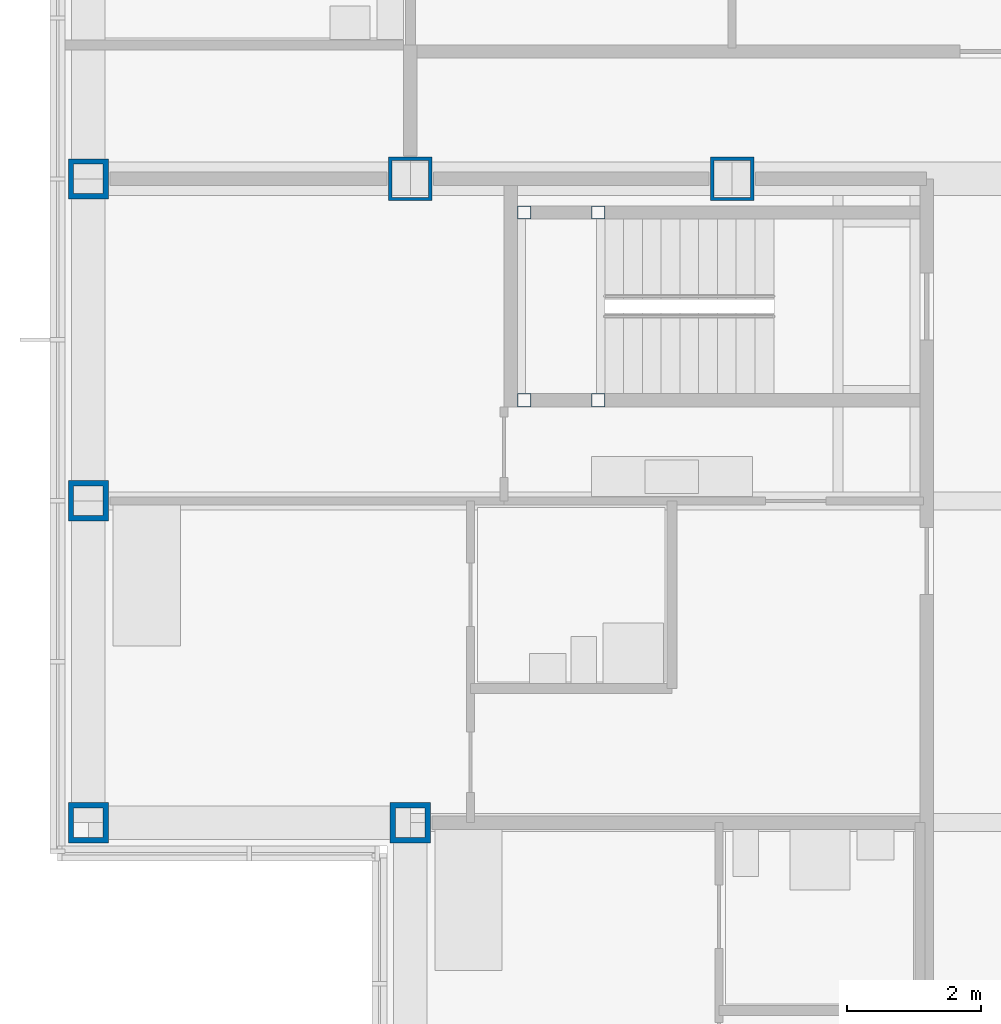
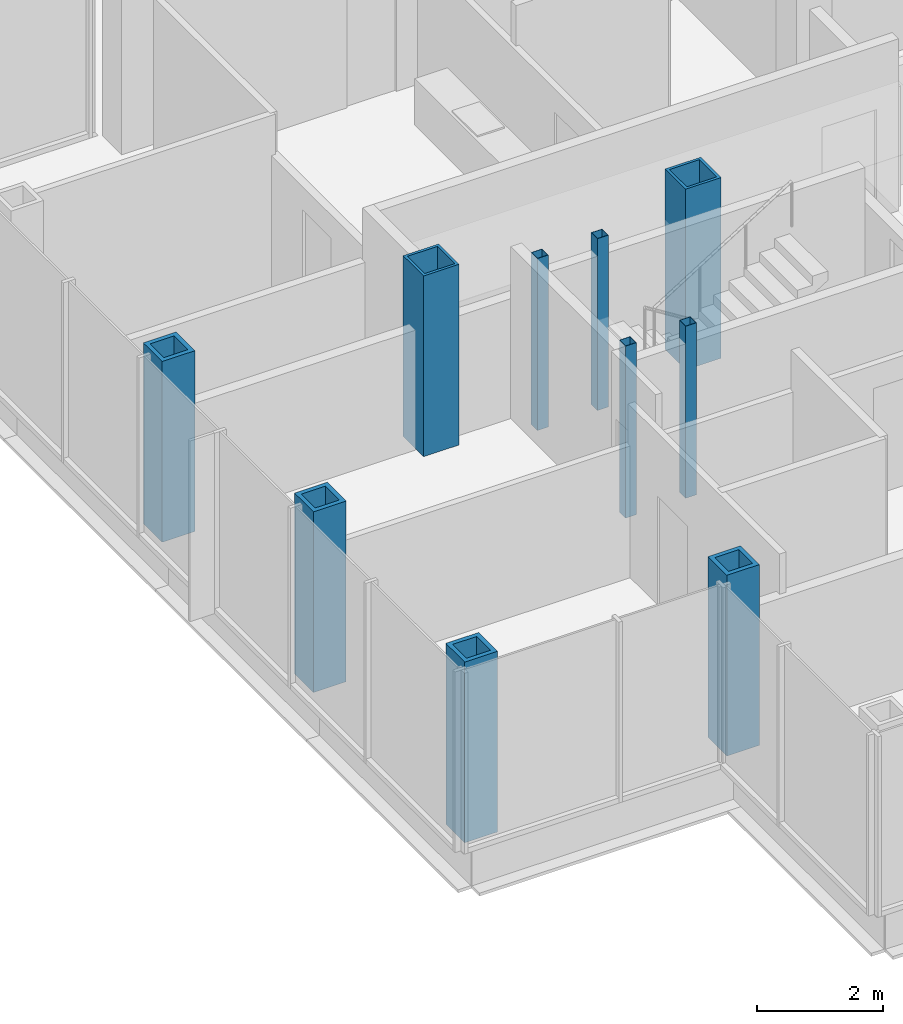
# One storey, part 3 of 20: 10 columns.
"""IFC4 building model written with IfcOpenShell, lengths in metres."""

from ifc_helpers import new_model, si_unit, direction, frame, origin, origin_2d, place, context, subcontext, project, spatial, hollow_rectangle, extrude, material, material_profile, profile_set, type_object, element, save


model = new_model("IFC4")

# Units and contexts
model_context = context("Model", 3, precision=1e-05, world=origin(), true_north=direction((0.0, 1.0)))
body_context = subcontext(model_context, "Body", "Model", "MODEL_VIEW")
ifc_project = project(units=[si_unit("LENGTHUNIT", "METRE"), si_unit("AREAUNIT", "SQUARE_METRE"), si_unit("VOLUMEUNIT", "CUBIC_METRE"), si_unit("PLANEANGLEUNIT", "RADIAN"), si_unit("MASSUNIT", "GRAM", prefix="KILO")], contexts=[model_context])

# Site, building, storey
site_placement = place(None, origin())
site = spatial("IfcSite", under=ifc_project, at=site_placement, CompositionType="ELEMENT")
building_placement = place(site_placement, origin())
building = spatial("IfcBuilding", under=site, at=building_placement, Name="Kvirike Care Tower", CompositionType="ELEMENT")
storey_placement = place(building_placement, frame((0.0, 0.0, 126.0)))
storey = spatial("IfcBuildingStorey", under=building, at=storey_placement, Name="L34", CompositionType="ELEMENT", Elevation=126.0)

# Columns
ifc_material_1 = material(Name="Steel S460", Category="steel")
ifc_material_profile_1 = material_profile(ifc_material_1, hollow_rectangle(XDim=0.60009765625, YDim=0.60009765625, WallThickness=0.080078125, at=origin_2d()), Name="BX 600x600x80")
ifc_profile_set_1 = profile_set([ifc_material_profile_1], Name="Steel S460")
column_type_1 = type_object("IfcColumnType", Name="COLUMN BX 600x600x80", PredefinedType="COLUMN", material=ifc_profile_set_1)
for number, where, z_axis, x_axis, name in (
    (1, (0.0, 33.60009765625, 0.0), (0.0, 0.0, 1.0), (0.0, 1.0, 0.0), "Column H3 L34"),
    (2, (0.0, 38.39990234375, 0.0), (0.0, 0.0, 1.0), (1.0, 0.0, 0.0), "Column J3 L34"),
    (3, (0.0, 43.199951171875, 0.0), (0.0, 0.0, 1.0), (0.0, 1.0, 0.0), "Column K3 L34"),
    (4, (4.800048828125, 33.60009765625, 0.0), (0.0, 0.0, 1.0), (0.0, 1.0, 0.0), "Column H4 L34"),
):
    element("IfcColumn", number, at=place(storey_placement, frame(where, z_axis=z_axis, x_axis=x_axis)), inside=storey, type_object=column_type_1, Name=name, PredefinedType="COLUMN", context=body_context, shape_type="SweptSolid", body=[
        extrude(hollow_rectangle(XDim=0.60009765625, YDim=0.60009765625, WallThickness=0.080078125, at=origin_2d()), origin(), (0.0, 0.0, 1.0), 3.5),
    ])
ifc_material_2 = material(Name="Steel S460", Category="steel")
ifc_material_profile_2 = material_profile(ifc_material_2, hollow_rectangle(XDim=0.64990234375, YDim=0.64990234375, WallThickness=0.050048828125, at=origin_2d()), Name="BX 650x650x50")
ifc_profile_set_2 = profile_set([ifc_material_profile_2], Name="Steel S460")
column_type_2 = type_object("IfcColumnType", Name="COLUMN BX 650x650x50", PredefinedType="COLUMN", material=ifc_profile_set_2)
for number, where, z_axis, x_axis, name in (
    (5, (4.800048828125, 43.199951171875, 0.0), (0.0, 0.0, 1.0), (0.0, 1.0, 0.0), "Column K4 L34"),
    (6, (9.60009765625, 43.199951171875, 0.0), (0.0, 0.0, 1.0), (0.0, 1.0, 0.0), "Column K5 L34"),
):
    element("IfcColumn", number, at=place(storey_placement, frame(where, z_axis=z_axis, x_axis=x_axis)), inside=storey, type_object=column_type_2, Name=name, PredefinedType="COLUMN", context=body_context, shape_type="SweptSolid", body=[
        extrude(hollow_rectangle(XDim=0.64990234375, YDim=0.64990234375, WallThickness=0.050048828125, at=origin_2d()), origin(), (0.0, 0.0, 1.0), 3.5),
    ])
ifc_material_3 = material(Name="Steel S460", Category="steel")
ifc_material_profile_3 = material_profile(ifc_material_3, hollow_rectangle(XDim=0.199951171875, YDim=0.199951171875, WallThickness=0.008056640625, at=origin_2d()), Name="SHS 200x200x8")
ifc_profile_set_3 = profile_set([ifc_material_profile_3], Name="Steel S460")
column_type_3 = type_object("IfcColumnType", Name="STAIR POST SHS 200x200x8", PredefinedType="COLUMN", material=ifc_profile_set_3)
for number, where, z_axis, x_axis, name in (
    (7, (6.5, 42.699951171875, 0.0), (0.0, 0.0, 1.0), (1.0, 0.0, 0.0), "Stair 1 post 1 L34"),
    (8, (6.5, 39.89990234375, 0.0), (0.0, 0.0, 1.0), (1.0, 0.0, 0.0), "Stair 1 post 2 L34"),
    (9, (7.60009765625, 42.699951171875, 0.0), (0.0, 0.0, 1.0), (1.0, 0.0, 0.0), "Stair 1 post 3 L34"),
    (10, (7.60009765625, 39.89990234375, 0.0), (0.0, 0.0, 1.0), (1.0, 0.0, 0.0), "Stair 1 post 4 L34"),
):
    element("IfcColumn", number, at=place(storey_placement, frame(where, z_axis=z_axis, x_axis=x_axis)), inside=storey, type_object=column_type_3, Name=name, PredefinedType="COLUMN", context=body_context, shape_type="SweptSolid", body=[
        extrude(hollow_rectangle(XDim=0.199951171875, YDim=0.199951171875, WallThickness=0.008056640625, at=origin_2d()), origin(), (0.0, 0.0, 1.0), 3.330078125),
    ])

save(model, "model.ifc")
